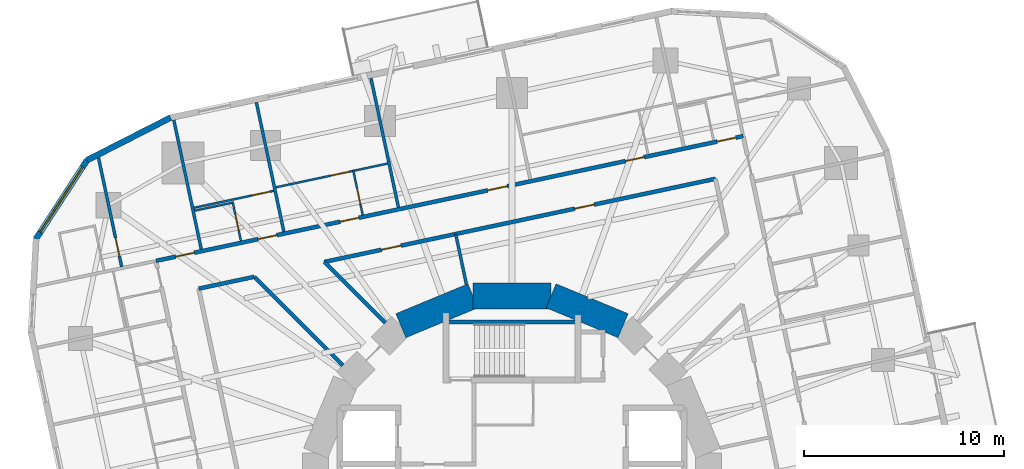
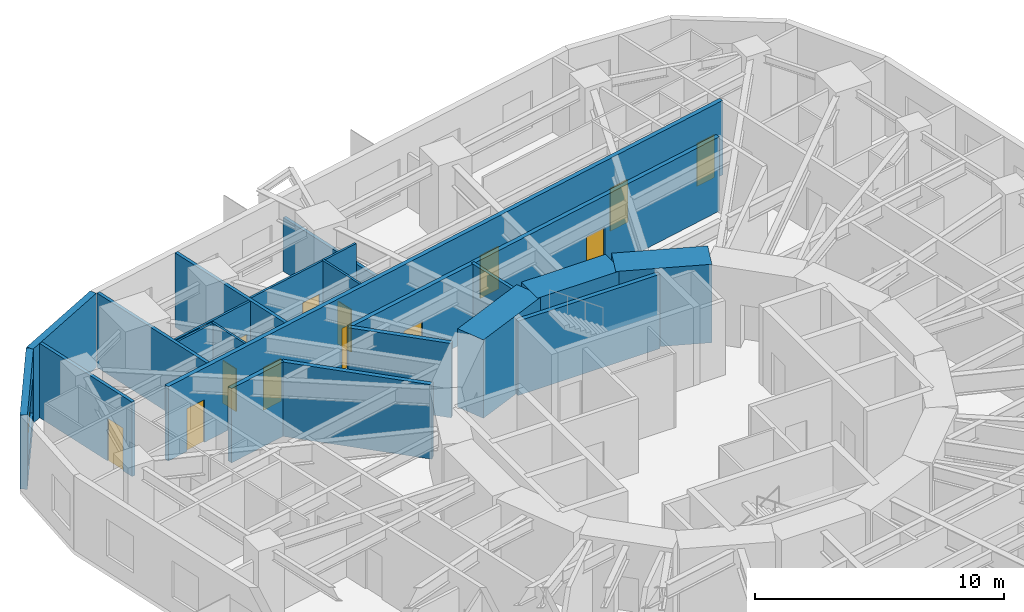
# One storey, part 10 of 14: 22 walls, 13 doors, 1 window, 14 openings.
"""IFC4 building model written with IfcOpenShell, lengths in metres."""

from ifc_helpers import new_model, si_unit, direction, frame, frame_2d, origin, place, context, subcontext, project, spatial, rectangle, extrude, material, layer, layer_set, type_object, element, fill, save


model = new_model("IFC4")

# Units and contexts
model_context = context("Model", 3, precision=1e-05, world=origin(), true_north=direction((0.0, 1.0)))
body_context = subcontext(model_context, "Body", "Model", "MODEL_VIEW")
ifc_project = project(units=[si_unit("LENGTHUNIT", "METRE"), si_unit("AREAUNIT", "SQUARE_METRE"), si_unit("VOLUMEUNIT", "CUBIC_METRE"), si_unit("PLANEANGLEUNIT", "RADIAN"), si_unit("MASSUNIT", "GRAM", prefix="KILO")], contexts=[model_context])

# Site, building, storey
site_placement = place(None, origin())
site = spatial("IfcSite", under=ifc_project, at=site_placement, CompositionType="ELEMENT")
building_placement = place(site_placement, origin())
building = spatial("IfcBuilding", under=site, at=building_placement, Name="Nakasero Lantern House", CompositionType="ELEMENT")
storey_placement = place(building_placement, frame((0.0, 0.0, 124.25)))
storey = spatial("IfcBuildingStorey", under=building, at=storey_placement, Name="L30", CompositionType="ELEMENT", Elevation=124.25)

# Walls
ifc_material_1 = material(Name="Concrete C50/60", Category="concrete")
ifc_layer_1 = layer(ifc_material_1, 1.300048828125)
ifc_layer_set_1 = layer_set([ifc_layer_1], Name="Core wall 1300")
wall_type_1 = type_object("IfcWallType", Name="Core wall 1300", PredefinedType="SHEAR", material=ifc_layer_set_1)
for number, where, z_axis, x_axis, name in (
    (1, (5.5556640625, 8.314697265625, 0.0), (0.0, 0.0, 1.0), (-0.923876507187, 0.382690736062, 0.0), "Core wall L30 facet 3"),
    (2, (1.950927734375, 9.807861328125, 0.0), (0.0, 0.0, 1.0), (-1.0, 0.0, 0.0), "Core wall L30 facet 4"),
    (3, (-1.950927734375, 9.807861328125, 0.0), (0.0, 0.0, 1.0), (-0.923876507187, -0.382690736062, 0.0), "Core wall L30 facet 5"),
):
    element("IfcWall", number, at=place(storey_placement, frame(where, z_axis=z_axis, x_axis=x_axis)), inside=storey, type_object=wall_type_1, Name=name, PredefinedType="SHEAR", context=body_context, shape_type="SweptSolid", body=[
        extrude(rectangle(XDim=3.90185546875, YDim=1.300048828125, at=frame_2d((1.950927734375, 0.0))), origin(), (0.0, 0.0, 1.0), 3.85009765625),
    ])

# Wall, openings, doors
ifc_material_2 = material(Name="Blockwork", Category="masonry")
ifc_layer_2 = layer(ifc_material_2, 0.199951171875)
ifc_layer_set_2 = layer_set([ifc_layer_2], Name="Corridor wall 200")
wall_type_2 = type_object("IfcWallType", Name="Corridor wall 200", PredefinedType="PARTITIONING", material=ifc_layer_set_2)
wall_1_placement = place(storey_placement, frame((11.553466796875, 17.790771484375, 0.0), z_axis=(0.0, 0.0, 1.0), x_axis=(-0.978147639417, -0.207911508826, 0.0)))
wall_1 = element("IfcWall", 4, at=wall_1_placement, inside=storey, type_object=wall_type_2, Name="Corridor wall L30 CW1", PredefinedType="PARTITIONING", context=body_context, shape_type="SweptSolid", body=[
    extrude(rectangle(XDim=29.999755859375, YDim=0.199951171875, at=frame_2d((15.0, 0.0))), origin(), (0.0, 0.0, 1.0), 3.64990234375),
])
opening_1_placement = place(wall_1_placement, frame((0.375, 0.0, 0.0)))
opening_1 = element("IfcOpeningElement", 5, at=opening_1_placement, cuts=wall_1, Name="Opening D01", PredefinedType="OPENING", context=body_context, shape_type="SweptSolid", body=[
    extrude(rectangle(XDim=0.949951171875, YDim=2.10009765625, at=frame_2d((0.47509765625, 1.050048828125))), frame((0.0, 0.119873046875, 0.0), z_axis=(0.0, -1.0, 0.0), x_axis=(1.0, 0.0, 0.0)), (0.0, 0.0, 1.0), 0.239990234375),
])
opening_2_placement = place(wall_1_placement, frame((5.066162109375, 0.0, 0.0)))
opening_2 = element("IfcOpeningElement", 6, at=opening_2_placement, cuts=wall_1, Name="Opening D01", PredefinedType="OPENING", context=body_context, shape_type="SweptSolid", body=[
    extrude(rectangle(XDim=0.949951171875, YDim=2.10009765625, at=frame_2d((0.47509765625, 1.050048828125))), frame((0.0, 0.119873046875, 0.0), z_axis=(0.0, -1.0, 0.0), x_axis=(1.0, 0.0, 0.0)), (0.0, 0.0, 1.0), 0.239990234375),
])
opening_3_placement = place(wall_1_placement, frame((19.642578125, 0.0, 0.0)))
opening_3 = element("IfcOpeningElement", 7, at=opening_3_placement, cuts=wall_1, Name="Opening D01", PredefinedType="OPENING", context=body_context, shape_type="SweptSolid", body=[
    extrude(rectangle(XDim=0.949951171875, YDim=2.10009765625, at=frame_2d((0.47509765625, 1.050048828125))), frame((0.0, 0.119873046875, 0.0), z_axis=(0.0, -1.0, 0.0), x_axis=(1.0, 0.0, 0.0)), (0.0, 0.0, 1.0), 0.239990234375),
])
opening_4_placement = place(wall_1_placement, frame((23.8203125, 0.0, 0.0)))
opening_4 = element("IfcOpeningElement", 8, at=opening_4_placement, cuts=wall_1, Name="Opening D01", PredefinedType="OPENING", context=body_context, shape_type="SweptSolid", body=[
    extrude(rectangle(XDim=0.949951171875, YDim=2.10009765625, at=frame_2d((0.47509765625, 1.050048828125))), frame((0.0, 0.119873046875, 0.0), z_axis=(0.0, -1.0, 0.0), x_axis=(1.0, 0.0, 0.0)), (0.0, 0.0, 1.0), 0.239990234375),
])
opening_5_placement = place(wall_1_placement, frame((28.038330078125, 0.0, 0.0)))
opening_5 = element("IfcOpeningElement", 9, at=opening_5_placement, cuts=wall_1, Name="Opening D01", PredefinedType="OPENING", context=body_context, shape_type="SweptSolid", body=[
    extrude(rectangle(XDim=0.949951171875, YDim=2.10009765625, at=frame_2d((0.47509765625, 1.050048828125))), frame((0.0, 0.119873046875, 0.0), z_axis=(0.0, -1.0, 0.0), x_axis=(1.0, 0.0, 0.0)), (0.0, 0.0, 1.0), 0.239990234375),
])
opening_6_placement = place(wall_1_placement, frame((12.05517578125, 0.0, 0.0)))
opening_6 = element("IfcOpeningElement", 10, at=opening_6_placement, cuts=wall_1, Name="Opening D03", PredefinedType="OPENING", context=body_context, shape_type="SweptSolid", body=[
    extrude(rectangle(XDim=1.0, YDim=2.10009765625, at=frame_2d((0.5, 1.050048828125))), frame((0.0, 0.119873046875, 0.0), z_axis=(0.0, -1.0, 0.0), x_axis=(1.0, 0.0, 0.0)), (0.0, 0.0, 1.0), 0.239990234375),
])
ifc_material_3 = material(Name="Timber C24", Category="wood")
door_type_1 = type_object("IfcDoorType", Name="Bedroom door FD30S 950", OperationType="SINGLE_SWING_LEFT", PredefinedType="DOOR", material=ifc_material_3)
door_1_placement = place(opening_1_placement, origin())
door_1 = element("IfcDoor", 11, at=door_1_placement, inside=storey, type_object=door_type_1, Name="Door L30 D1-00", OperationType="SINGLE_SWING_LEFT", OverallHeight=2.10009765625, OverallWidth=0.949951171875, PredefinedType="DOOR", context=body_context, shape_type="SweptSolid", body=[
    extrude(rectangle(XDim=0.949951171875, YDim=2.10009765625, at=frame_2d((0.47509765625, 1.050048828125))), frame((0.0, 0.02490234375, 0.0), z_axis=(0.0, -1.0, 0.0), x_axis=(1.0, 0.0, 0.0)), (0.0, 0.0, 1.0), 0.050048828125),
])
fill(opening_1, door_1)
door_2_placement = place(opening_2_placement, origin())
door_2 = element("IfcDoor", 12, at=door_2_placement, inside=storey, type_object=door_type_1, Name="Door L30 D1-01", OperationType="SINGLE_SWING_LEFT", OverallHeight=2.10009765625, OverallWidth=0.949951171875, PredefinedType="DOOR", context=body_context, shape_type="SweptSolid", body=[
    extrude(rectangle(XDim=0.949951171875, YDim=2.10009765625, at=frame_2d((0.47509765625, 1.050048828125))), frame((0.0, 0.02490234375, 0.0), z_axis=(0.0, -1.0, 0.0), x_axis=(1.0, 0.0, 0.0)), (0.0, 0.0, 1.0), 0.050048828125),
])
fill(opening_2, door_2)
door_3_placement = place(opening_3_placement, origin())
door_3 = element("IfcDoor", 13, at=door_3_placement, inside=storey, type_object=door_type_1, Name="Door L30 D1-05", OperationType="SINGLE_SWING_RIGHT", OverallHeight=2.10009765625, OverallWidth=0.949951171875, PredefinedType="DOOR", context=body_context, shape_type="SweptSolid", body=[
    extrude(rectangle(XDim=0.949951171875, YDim=2.10009765625, at=frame_2d((0.47509765625, 1.050048828125))), frame((0.0, 0.02490234375, 0.0), z_axis=(0.0, -1.0, 0.0), x_axis=(1.0, 0.0, 0.0)), (0.0, 0.0, 1.0), 0.050048828125),
])
fill(opening_3, door_3)
door_4_placement = place(opening_4_placement, origin())
door_4 = element("IfcDoor", 14, at=door_4_placement, inside=storey, type_object=door_type_1, Name="Door L30 D1-07", OperationType="SINGLE_SWING_RIGHT", OverallHeight=2.10009765625, OverallWidth=0.949951171875, PredefinedType="DOOR", context=body_context, shape_type="SweptSolid", body=[
    extrude(rectangle(XDim=0.949951171875, YDim=2.10009765625, at=frame_2d((0.47509765625, 1.050048828125))), frame((0.0, 0.02490234375, 0.0), z_axis=(0.0, -1.0, 0.0), x_axis=(1.0, 0.0, 0.0)), (0.0, 0.0, 1.0), 0.050048828125),
])
fill(opening_4, door_4)
door_5_placement = place(opening_5_placement, origin())
door_5 = element("IfcDoor", 15, at=door_5_placement, inside=storey, type_object=door_type_1, Name="Door L30 D1-08", OperationType="SINGLE_SWING_RIGHT", OverallHeight=2.10009765625, OverallWidth=0.949951171875, PredefinedType="DOOR", context=body_context, shape_type="SweptSolid", body=[
    extrude(rectangle(XDim=0.949951171875, YDim=2.10009765625, at=frame_2d((0.47509765625, 1.050048828125))), frame((0.0, 0.02490234375, 0.0), z_axis=(0.0, -1.0, 0.0), x_axis=(1.0, 0.0, 0.0)), (0.0, 0.0, 1.0), 0.050048828125),
])
fill(opening_5, door_5)
ifc_material_4 = material(Name="Timber C24", Category="wood")
door_type_2 = type_object("IfcDoorType", Name="Lounge door FD30S 1000", OperationType="SINGLE_SWING_LEFT", PredefinedType="DOOR", material=ifc_material_4)
door_6_placement = place(opening_6_placement, origin())
door_6 = element("IfcDoor", 16, at=door_6_placement, inside=storey, type_object=door_type_2, Name="Door L30 DK1", OperationType="SINGLE_SWING_LEFT", OverallHeight=2.10009765625, OverallWidth=1.0, PredefinedType="DOOR", context=body_context, shape_type="SweptSolid", body=[
    extrude(rectangle(XDim=1.0, YDim=2.10009765625, at=frame_2d((0.5, 1.050048828125))), frame((0.0, 0.02490234375, 0.0), z_axis=(0.0, -1.0, 0.0), x_axis=(1.0, 0.0, 0.0)), (0.0, 0.0, 1.0), 0.050048828125),
])
fill(opening_6, door_6)

wall_2_placement = place(storey_placement, frame((10.1669921875, 15.656005859375, 0.0), z_axis=(0.0, 0.0, 1.0), x_axis=(-0.978147920132, -0.20791018816, 0.0)))
wall_2 = element("IfcWall", 17, at=wall_2_placement, inside=storey, type_object=wall_type_2, Name="Corridor wall L30 IW1-0", PredefinedType="PARTITIONING", context=body_context, shape_type="SweptSolid", body=[
    extrude(rectangle(XDim=19.983642578125, YDim=0.199951171875, at=frame_2d((9.99169921875, 0.0))), origin(), (0.0, 0.0, 1.0), 3.64990234375),
])
opening_7_placement = place(wall_2_placement, frame((6.197509765625, 0.0, 0.0)))
opening_7 = element("IfcOpeningElement", 18, at=opening_7_placement, cuts=wall_2, Name="Opening D07", PredefinedType="OPENING", context=body_context, shape_type="SweptSolid", body=[
    extrude(rectangle(XDim=1.0, YDim=2.10009765625, at=frame_2d((0.5, 1.050048828125))), frame((0.0, 0.119873046875, 0.0), z_axis=(0.0, -1.0, 0.0), x_axis=(1.0, 0.0, 0.0)), (0.0, 0.0, 1.0), 0.239990234375),
])
opening_8_placement = place(wall_2_placement, frame((16.064208984375, 0.0, 0.0)))
opening_8 = element("IfcOpeningElement", 19, at=opening_8_placement, cuts=wall_2, Name="Opening D07", PredefinedType="OPENING", context=body_context, shape_type="SweptSolid", body=[
    extrude(rectangle(XDim=1.0, YDim=2.10009765625, at=frame_2d((0.5, 1.050048828125))), frame((0.0, 0.119873046875, 0.0), z_axis=(0.0, -1.0, 0.0), x_axis=(1.0, 0.0, 0.0)), (0.0, 0.0, 1.0), 0.239990234375),
])
ifc_material_5 = material(Name="Timber C24", Category="wood")
door_type_3 = type_object("IfcDoorType", Name="Room door FD30S 1000", OperationType="SINGLE_SWING_LEFT", PredefinedType="DOOR", material=ifc_material_5)
door_7_placement = place(opening_7_placement, origin())
door_7 = element("IfcDoor", 20, at=door_7_placement, inside=storey, type_object=door_type_3, Name="Door L30 DI5", OperationType="SINGLE_SWING_LEFT", OverallHeight=2.10009765625, OverallWidth=1.0, PredefinedType="DOOR", context=body_context, shape_type="SweptSolid", body=[
    extrude(rectangle(XDim=1.0, YDim=2.10009765625, at=frame_2d((0.5, 1.050048828125))), frame((0.0, 0.02490234375, 0.0), z_axis=(0.0, -1.0, 0.0), x_axis=(1.0, 0.0, 0.0)), (0.0, 0.0, 1.0), 0.050048828125),
])
fill(opening_7, door_7)
door_8_placement = place(opening_8_placement, origin())
door_8 = element("IfcDoor", 21, at=door_8_placement, inside=storey, type_object=door_type_3, Name="Door L30 DI6", OperationType="SINGLE_SWING_RIGHT", OverallHeight=2.10009765625, OverallWidth=1.0, PredefinedType="DOOR", context=body_context, shape_type="SweptSolid", body=[
    extrude(rectangle(XDim=1.0, YDim=2.10009765625, at=frame_2d((0.5, 1.050048828125))), frame((0.0, 0.02490234375, 0.0), z_axis=(0.0, -1.0, 0.0), x_axis=(1.0, 0.0, 0.0)), (0.0, 0.0, 1.0), 0.050048828125),
])
fill(opening_8, door_8)

# Walls
wall_3_placement = place(storey_placement, frame((-12.878662109375, 10.75732421875, 0.0), z_axis=(0.0, 0.0, 1.0), x_axis=(-0.97814836043, -0.207908116695, 0.0)))
element("IfcWall", 22, at=wall_3_placement, inside=storey, type_object=wall_type_2, Name="Corridor wall L30 IW1-1", PredefinedType="PARTITIONING", context=body_context, shape_type="SweptSolid", body=[
    extrude(rectangle(XDim=2.83935546875, YDim=0.199951171875, at=frame_2d((1.419677734375, 0.0))), origin(), (0.0, 0.0, 1.0), 3.64990234375),
])
wall_4_placement = place(storey_placement, frame((-8.45556640625, 6.334228515625, 0.0), z_axis=(0.0, 0.0, 1.0), x_axis=(-0.707106781187, 0.707106781187, 0.0)))
element("IfcWall", 23, at=wall_4_placement, inside=storey, type_object=wall_type_2, Name="Corridor wall L30 PS06a", PredefinedType="PARTITIONING", context=body_context, shape_type="SweptSolid", body=[
    extrude(rectangle(XDim=6.255126953125, YDim=0.199951171875, at=frame_2d((3.12744140625, 0.0))), origin(), (0.0, 0.0, 1.0), 3.64990234375),
])
wall_5_placement = place(storey_placement, frame((-6.334228515625, 8.45556640625, 0.0), z_axis=(0.0, 0.0, 1.0), x_axis=(-0.707106781187, 0.707106781187, 0.0)))
element("IfcWall", 24, at=wall_5_placement, inside=storey, type_object=wall_type_2, Name="Corridor wall L30 PS06b", PredefinedType="PARTITIONING", context=body_context, shape_type="SweptSolid", body=[
    extrude(rectangle(XDim=4.30712890625, YDim=0.199951171875, at=frame_2d((2.153564453125, 0.0))), origin(), (0.0, 0.0, 1.0), 3.64990234375),
])

# Wall, opening, door
ifc_material_6 = material(Name="Blockwork", Category="masonry")
ifc_layer_3 = layer(ifc_material_6, 0.10009765625)
ifc_layer_set_3 = layer_set([ifc_layer_3], Name="En-suite wall 100")
wall_type_3 = type_object("IfcWallType", Name="En-suite wall 100", PredefinedType="PARTITIONING", material=ifc_layer_set_3)
wall_6_placement = place(storey_placement, frame((-7.46044921875, 13.8515625, 0.0), z_axis=(0.0, 0.0, 1.0), x_axis=(-0.207941273027, 0.978141312374, 0.0)))
wall_6 = element("IfcWall", 25, at=wall_6_placement, inside=storey, type_object=wall_type_3, Name="En-suite wall L30 ES1-05", PredefinedType="PARTITIONING", context=body_context, shape_type="SweptSolid", body=[
    extrude(rectangle(XDim=2.300048828125, YDim=0.10009765625, at=frame_2d((1.14990234375, 0.0))), origin(), (0.0, 0.0, 1.0), 3.64990234375),
])
opening_9_placement = place(wall_6_placement, frame((0.550048828125, 0.0, 0.0)))
opening_9 = element("IfcOpeningElement", 26, at=opening_9_placement, cuts=wall_6, Name="Opening D02", PredefinedType="OPENING", context=body_context, shape_type="SweptSolid", body=[
    extrude(rectangle(XDim=0.800048828125, YDim=2.10009765625, at=frame_2d((0.39990234375, 1.050048828125))), frame((0.0, 0.070068359375, 0.0), z_axis=(0.0, -1.0, 0.0), x_axis=(1.0, 0.0, 0.0)), (0.0, 0.0, 1.0), 0.14013671875),
])
ifc_material_7 = material(Name="Timber C24", Category="wood")
door_type_4 = type_object("IfcDoorType", Name="En-suite door 800", OperationType="SINGLE_SWING_RIGHT", PredefinedType="DOOR", material=ifc_material_7)
door_9_placement = place(opening_9_placement, origin())
door_9 = element("IfcDoor", 27, at=door_9_placement, inside=storey, type_object=door_type_4, Name="Door L30 DE1-05", OperationType="SINGLE_SWING_LEFT", OverallHeight=2.10009765625, OverallWidth=0.800048828125, PredefinedType="DOOR", context=body_context, shape_type="SweptSolid", body=[
    extrude(rectangle(XDim=0.800048828125, YDim=2.10009765625, at=frame_2d((0.39990234375, 1.050048828125))), frame((0.0, 0.02490234375, 0.0), z_axis=(0.0, -1.0, 0.0), x_axis=(1.0, 0.0, 0.0)), (0.0, 0.0, 1.0), 0.050048828125),
])
fill(opening_9, door_9)

# Wall
wall_7_placement = place(storey_placement, frame((-6.216552734375, 16.416259765625, 0.0), z_axis=(0.0, 0.0, 1.0), x_axis=(-0.97813950236, -0.207949787024, 0.0)))
element("IfcWall", 28, at=wall_7_placement, inside=storey, type_object=wall_type_3, Name="En-suite wall L30 EE1-05", PredefinedType="PARTITIONING", context=body_context, shape_type="SweptSolid", body=[
    extrude(rectangle(XDim=1.699951171875, YDim=0.10009765625, at=frame_2d((0.85009765625, 0.0))), origin(), (0.0, 0.0, 1.0), 3.64990234375),
])

# Wall, opening, door
wall_8_placement = place(storey_placement, frame((-13.54541015625, 12.55810546875, 0.0), z_axis=(0.0, 0.0, 1.0), x_axis=(-0.207886494942, 0.978152955943, 0.0)))
wall_8 = element("IfcWall", 29, at=wall_8_placement, inside=storey, type_object=wall_type_3, Name="En-suite wall L30 ES1-07", PredefinedType="PARTITIONING", context=body_context, shape_type="SweptSolid", body=[
    extrude(rectangle(XDim=2.0, YDim=0.10009765625, at=frame_2d((1.0, 0.0))), origin(), (0.0, 0.0, 1.0), 3.64990234375),
])
opening_10_placement = place(wall_8_placement, frame((0.550048828125, 0.0, 0.0)))
opening_10 = element("IfcOpeningElement", 30, at=opening_10_placement, cuts=wall_8, Name="Opening D02", PredefinedType="OPENING", context=body_context, shape_type="SweptSolid", body=[
    extrude(rectangle(XDim=0.800048828125, YDim=2.10009765625, at=frame_2d((0.39990234375, 1.050048828125))), frame((0.0, 0.070068359375, 0.0), z_axis=(0.0, -1.0, 0.0), x_axis=(1.0, 0.0, 0.0)), (0.0, 0.0, 1.0), 0.14013671875),
])
door_10_placement = place(opening_10_placement, origin())
door_10 = element("IfcDoor", 31, at=door_10_placement, inside=storey, type_object=door_type_4, Name="Door L30 DE1-07", OperationType="SINGLE_SWING_LEFT", OverallHeight=2.10009765625, OverallWidth=0.800048828125, PredefinedType="DOOR", context=body_context, shape_type="SweptSolid", body=[
    extrude(rectangle(XDim=0.800048828125, YDim=2.10009765625, at=frame_2d((0.39990234375, 1.050048828125))), frame((0.0, 0.02490234375, 0.0), z_axis=(0.0, -1.0, 0.0), x_axis=(1.0, 0.0, 0.0)), (0.0, 0.0, 1.0), 0.050048828125),
])
fill(opening_10, door_10)

# Wall
wall_9_placement = place(storey_placement, frame((-13.999755859375, 14.455078125, 0.0), z_axis=(0.0, 0.0, 1.0), x_axis=(-0.978147092378, -0.207914082431, 0.0)))
element("IfcWall", 32, at=wall_9_placement, inside=storey, type_object=wall_type_3, Name="En-suite wall L30 EE1-07", PredefinedType="PARTITIONING", context=body_context, shape_type="SweptSolid", body=[
    extrude(rectangle(XDim=1.89990234375, YDim=0.10009765625, at=frame_2d((0.949951171875, 0.0))), origin(), (0.0, 0.0, 1.0), 3.64990234375),
])

# Wall, opening, door
wall_10_placement = place(storey_placement, frame((-7.977294921875, 16.0419921875, 0.0), z_axis=(0.0, 0.0, 1.0), x_axis=(-0.978141676897, -0.207939558327, 0.0)))
wall_10 = element("IfcWall", 33, at=wall_10_placement, inside=storey, type_object=wall_type_3, Name="En-suite wall L30 EL1-05", PredefinedType="PARTITIONING", context=body_context, shape_type="SweptSolid", body=[
    extrude(rectangle(XDim=3.902587890625, YDim=0.10009765625, at=frame_2d((1.951171875, 0.0))), origin(), (0.0, 0.0, 1.0), 3.64990234375),
])
opening_11_placement = place(wall_10_placement, frame((0.199951171875, 0.0, 0.0)))
opening_11 = element("IfcOpeningElement", 34, at=opening_11_placement, cuts=wall_10, Name="Opening D17", PredefinedType="OPENING", context=body_context, shape_type="SweptSolid", body=[
    extrude(rectangle(XDim=0.89990234375, YDim=2.10009765625, at=frame_2d((0.449951171875, 1.050048828125))), frame((0.0, 0.070068359375, 0.0), z_axis=(0.0, -1.0, 0.0), x_axis=(1.0, 0.0, 0.0)), (0.0, 0.0, 1.0), 0.14013671875),
])
ifc_material_8 = material(Name="Timber C24", Category="wood")
door_type_5 = type_object("IfcDoorType", Name="Bedroom door FD30S 900", OperationType="SINGLE_SWING_LEFT", PredefinedType="DOOR", material=ifc_material_8)
door_11_placement = place(opening_11_placement, origin())
door_11 = element("IfcDoor", 35, at=door_11_placement, inside=storey, type_object=door_type_5, Name="Door L30 DL1-05", OperationType="SINGLE_SWING_LEFT", OverallHeight=2.10009765625, OverallWidth=0.89990234375, PredefinedType="DOOR", context=body_context, shape_type="SweptSolid", body=[
    extrude(rectangle(XDim=0.89990234375, YDim=2.10009765625, at=frame_2d((0.449951171875, 1.050048828125))), frame((0.0, 0.02490234375, 0.0), z_axis=(0.0, -1.0, 0.0), x_axis=(1.0, 0.0, 0.0)), (0.0, 0.0, 1.0), 0.050048828125),
])
fill(opening_11, door_11)

wall_11_placement = place(storey_placement, frame((-11.91015625, 15.052734375, 0.0), z_axis=(0.0, 0.0, 1.0), x_axis=(-0.978141002414, -0.207942731049, 0.0)))
wall_11 = element("IfcWall", 36, at=wall_11_placement, inside=storey, type_object=wall_type_3, Name="En-suite wall L30 EL1-07", PredefinedType="PARTITIONING", context=body_context, shape_type="SweptSolid", body=[
    extrude(rectangle(XDim=4.068115234375, YDim=0.10009765625, at=frame_2d((2.0341796875, 0.0))), origin(), (0.0, 0.0, 1.0), 3.64990234375),
])
opening_12_placement = place(wall_11_placement, frame((0.199951171875, 0.0, 0.0)))
opening_12 = element("IfcOpeningElement", 37, at=opening_12_placement, cuts=wall_11, Name="Opening D17", PredefinedType="OPENING", context=body_context, shape_type="SweptSolid", body=[
    extrude(rectangle(XDim=0.89990234375, YDim=2.10009765625, at=frame_2d((0.449951171875, 1.050048828125))), frame((0.0, 0.070068359375, 0.0), z_axis=(0.0, -1.0, 0.0), x_axis=(1.0, 0.0, 0.0)), (0.0, 0.0, 1.0), 0.14013671875),
])
door_12_placement = place(opening_12_placement, origin())
door_12 = element("IfcDoor", 38, at=door_12_placement, inside=storey, type_object=door_type_5, Name="Door L30 DL1-07", OperationType="SINGLE_SWING_LEFT", OverallHeight=2.10009765625, OverallWidth=0.89990234375, PredefinedType="DOOR", context=body_context, shape_type="SweptSolid", body=[
    extrude(rectangle(XDim=0.89990234375, YDim=2.10009765625, at=frame_2d((0.449951171875, 1.050048828125))), frame((0.0, 0.02490234375, 0.0), z_axis=(0.0, -1.0, 0.0), x_axis=(1.0, 0.0, 0.0)), (0.0, 0.0, 1.0), 0.050048828125),
])
fill(opening_12, door_12)

# Wall
ifc_material_9 = material(Name="Aluminium rainscreen on blockwork", Category="masonry")
ifc_layer_4 = layer(ifc_material_9, 0.300048828125)
ifc_layer_set_4 = layer_set([ifc_layer_4], Name="Facade wall 300")
wall_type_4 = type_object("IfcWallType", Name="Facade wall 300", PredefinedType="SOLIDWALL", material=ifc_layer_set_4)
wall_12_placement = place(storey_placement, frame((-17.063232421875, 18.711181640625, 0.0), z_axis=(0.0, 0.0, 1.0), x_axis=(-0.89101404178, -0.453975745332, 0.0)))
element("IfcWall", 39, at=wall_12_placement, inside=storey, type_object=wall_type_4, Name="Facade wall L30 FW1C1", PredefinedType="SOLIDWALL", context=body_context, shape_type="SweptSolid", body=[
    extrude(rectangle(XDim=4.6845703125, YDim=0.300048828125, at=frame_2d((2.34228515625, 0.0))), origin(), (0.0, 0.0, 1.0), 3.64990234375),
])

# Wall, opening, window
wall_13_placement = place(storey_placement, frame((-21.2373046875, 16.58447265625, 0.0), z_axis=(0.0, 0.0, 1.0), x_axis=(-0.544605442853, -0.838692381994, 0.0)))
wall_13 = element("IfcWall", 40, at=wall_13_placement, inside=storey, type_object=wall_type_4, Name="Facade wall L30 FW1C2", PredefinedType="SOLIDWALL", context=body_context, shape_type="SweptSolid", body=[
    extrude(rectangle(XDim=4.6845703125, YDim=0.300048828125, at=frame_2d((2.34228515625, 0.0))), origin(), (0.0, 0.0, 1.0), 3.64990234375),
])
opening_13_placement = place(wall_13_placement, frame((0.39990234375, 0.0, 0.75)))
opening_13 = element("IfcOpeningElement", 41, at=opening_13_placement, cuts=wall_13, Name="Opening W238", PredefinedType="OPENING", context=body_context, shape_type="SweptSolid", body=[
    extrude(rectangle(XDim=3.885009765625, YDim=1.800048828125, at=frame_2d((1.9423828125, 0.89990234375))), frame((0.0, 0.169921875, 0.0), z_axis=(0.0, -1.0, 0.0), x_axis=(1.0, 0.0, 0.0)), (0.0, 0.0, 1.0), 0.340087890625),
])
ifc_material_10 = material(Name="Aluminium 6063-T6 and glass", Category="aluminium")
window_type = type_object("IfcWindowType", Name="Corner window 3885x1800", PartitioningType="SINGLE_PANEL", PredefinedType="WINDOW", material=ifc_material_10)
window_placement = place(opening_13_placement, origin())
window = element("IfcWindow", 42, at=window_placement, inside=storey, type_object=window_type, Name="Window L30 WC1", OverallHeight=1.800048828125, OverallWidth=3.885009765625, PartitioningType="SINGLE_PANEL", PredefinedType="WINDOW", context=body_context, shape_type="SweptSolid", body=[
    extrude(rectangle(XDim=3.885009765625, YDim=1.800048828125, at=frame_2d((1.9423828125, 0.89990234375))), frame((0.0, 0.030029296875, 0.0), z_axis=(0.0, -1.0, 0.0), x_axis=(1.0, 0.0, 0.0)), (0.0, 0.0, 1.0), 0.06005859375),
])
fill(opening_13, window)

# Walls
ifc_material_11 = material(Name="Blockwork", Category="masonry")
ifc_layer_5 = layer(ifc_material_11, 0.199951171875)
ifc_layer_set_5 = layer_set([ifc_layer_5], Name="Fire lobby wall 200")
wall_type_5 = type_object("IfcWallType", Name="Fire lobby wall 200", PredefinedType="PARTITIONING", material=ifc_layer_set_5)
wall_14_placement = place(storey_placement, frame((-3.300048828125, 8.5, 0.0), z_axis=(0.0, 0.0, 1.0), x_axis=(1.0, 0.0, 0.0)))
element("IfcWall", 43, at=wall_14_placement, inside=storey, type_object=wall_type_5, Name="Fire lobby wall L30 W-STN", PredefinedType="PARTITIONING", context=body_context, shape_type="SweptSolid", body=[
    extrude(rectangle(XDim=6.60009765625, YDim=0.199951171875, at=frame_2d((3.300048828125, 0.0))), origin(), (0.0, 0.0, 1.0), 3.64990234375),
])
ifc_material_12 = material(Name="Blockwork", Category="masonry")
ifc_layer_6 = layer(ifc_material_12, 0.14990234375)
ifc_layer_set_6 = layer_set([ifc_layer_6], Name="Party wall 150")
wall_type_6 = type_object("IfcWallType", Name="Party wall 150", PredefinedType="PARTITIONING", material=ifc_layer_set_6)
wall_15_placement = place(storey_placement, frame((-5.67529296875, 14.23095703125, 0.0), z_axis=(0.0, 0.0, 1.0), x_axis=(-0.207924673876, 0.978144841009, 0.0)))
element("IfcWall", 44, at=wall_15_placement, inside=storey, type_object=wall_type_6, Name="Party wall L30 PW1-05", PredefinedType="PARTITIONING", context=body_context, shape_type="SweptSolid", body=[
    extrude(rectangle(XDim=6.60009765625, YDim=0.14990234375, at=frame_2d((3.300048828125, 0.0))), origin(), (0.0, 0.0, 1.0), 2.641845703125),
])
for number, where, z_axis, x_axis, name in (
    (45, (-11.400146484375, 13.01416015625, 0.0), (0.0, 0.0, 1.0), (-0.207924673876, 0.978144841009, 0.0), "Party wall L30 PW1-07"),
    (46, (-15.526123046875, 12.13720703125, 0.0), (0.0, 0.0, 1.0), (-0.207924673876, 0.978144841009, 0.0), "Party wall L30 PW1-08"),
):
    element("IfcWall", number, at=place(storey_placement, frame(where, z_axis=z_axis, x_axis=x_axis)), inside=storey, type_object=wall_type_6, Name=name, PredefinedType="PARTITIONING", context=body_context, shape_type="SweptSolid", body=[
        extrude(rectangle(XDim=6.60009765625, YDim=0.14990234375, at=frame_2d((3.300048828125, 0.0))), origin(), (0.0, 0.0, 1.0), 3.64990234375),
    ])

# Wall, opening, door
wall_16_placement = place(storey_placement, frame((-19.502197265625, 11.256103515625, 0.0), z_axis=(0.0, 0.0, 1.0), x_axis=(-0.207936339891, 0.978142361087, 0.0)))
wall_16 = element("IfcWall", 47, at=wall_16_placement, inside=storey, type_object=wall_type_6, Name="Party wall L30 PC1", PredefinedType="PARTITIONING", context=body_context, shape_type="SweptSolid", body=[
    extrude(rectangle(XDim=5.570068359375, YDim=0.14990234375, at=frame_2d((2.78515625, 0.0))), origin(), (0.0, 0.0, 1.0), 3.64990234375),
])
opening_14_placement = place(wall_16_placement, frame((0.534912109375, 0.0, 0.0)))
opening_14 = element("IfcOpeningElement", 48, at=opening_14_placement, cuts=wall_16, Name="Opening D01", PredefinedType="OPENING", context=body_context, shape_type="SweptSolid", body=[
    extrude(rectangle(XDim=0.949951171875, YDim=2.10009765625, at=frame_2d((0.47509765625, 1.050048828125))), frame((0.0, 0.094970703125, 0.0), z_axis=(0.0, -1.0, 0.0), x_axis=(1.0, 0.0, 0.0)), (0.0, 0.0, 1.0), 0.18994140625),
])
door_13_placement = place(opening_14_placement, origin())
door_13 = element("IfcDoor", 49, at=door_13_placement, inside=storey, type_object=door_type_1, Name="Door L30 DC1", OperationType="SINGLE_SWING_LEFT", OverallHeight=2.10009765625, OverallWidth=0.949951171875, PredefinedType="DOOR", context=body_context, shape_type="SweptSolid", body=[
    extrude(rectangle(XDim=0.949951171875, YDim=2.10009765625, at=frame_2d((0.47509765625, 1.050048828125))), frame((0.0, 0.02490234375, 0.0), z_axis=(0.0, -1.0, 0.0), x_axis=(1.0, 0.0, 0.0)), (0.0, 0.0, 1.0), 0.050048828125),
])
fill(opening_14, door_13)

# Wall
wall_17_placement = place(storey_placement, frame((-2.81298828125, 12.89697265625, 0.0), z_axis=(0.0, 0.0, 1.0), x_axis=(0.20794373203, -0.978140789615, 0.0)))
element("IfcWall", 50, at=wall_17_placement, inside=storey, type_object=wall_type_6, Name="Party wall L30 IM1", PredefinedType="PARTITIONING", context=body_context, shape_type="SweptSolid", body=[
    extrude(rectangle(XDim=2.5771484375, YDim=0.14990234375, at=frame_2d((1.28857421875, 0.0))), origin(), (0.0, 0.0, 1.0), 3.64990234375),
])

save(model, "model.ifc")
